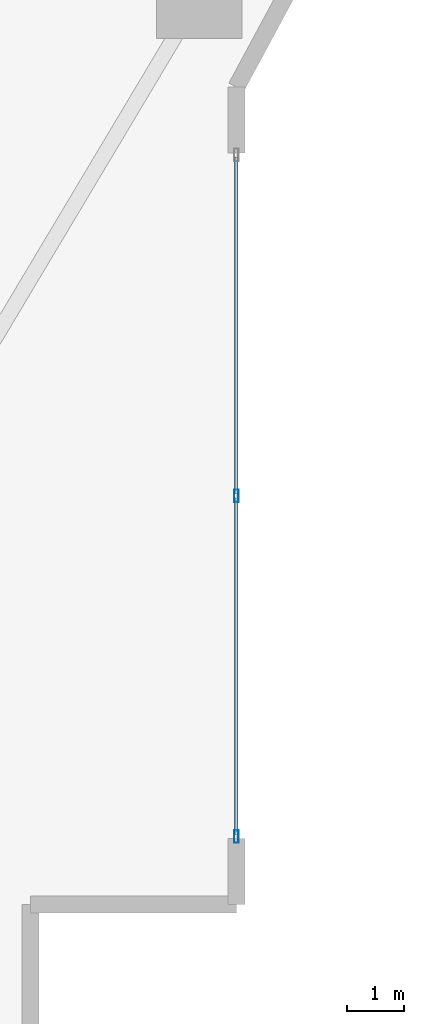
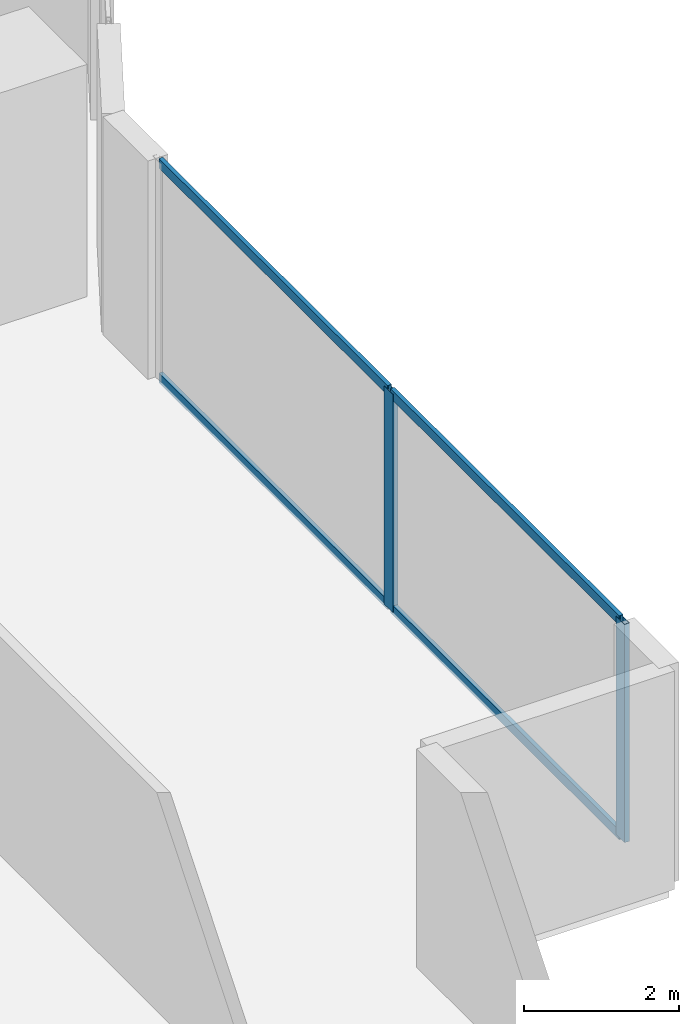
# One storey, part 10 of 28: 6 members, 1 element without a shape of its own.
"""IFC4 building model written with IfcOpenShell, lengths in metres."""

from ifc_helpers import new_model, si_unit, direction, frame, origin, origin_2d, place, context, subcontext, project, spatial, hollow_rectangle, extrude, material, layer, layer_set, material_profile, profile_set, type_object, element, aggregate, save


model = new_model("IFC4")

# Units and contexts
model_context = context("Model", 3, precision=1e-05, world=origin(), true_north=direction((0.0, 1.0)))
body_context = subcontext(model_context, "Body", "Model", "MODEL_VIEW")
ifc_project = project(units=[si_unit("LENGTHUNIT", "METRE"), si_unit("AREAUNIT", "SQUARE_METRE"), si_unit("VOLUMEUNIT", "CUBIC_METRE"), si_unit("PLANEANGLEUNIT", "RADIAN"), si_unit("MASSUNIT", "GRAM", prefix="KILO")], contexts=[model_context])

# Site, building, storey
site_placement = place(None, origin())
site = spatial("IfcSite", under=ifc_project, at=site_placement, CompositionType="ELEMENT")
building_placement = place(site_placement, origin())
building = spatial("IfcBuilding", under=site, at=building_placement, Name="Zuhayl Quay Hotel", CompositionType="ELEMENT")
storey_placement = place(building_placement, frame((0.0, 0.0, 49.5)))
storey = spatial("IfcBuildingStorey", under=building, at=storey_placement, Name="L11", CompositionType="ELEMENT", Elevation=49.5)

# Curtain wall, members
ifc_material_1 = material(Name="Anodised Aluminium 6063-T6", Category="aluminium")
ifc_layer = layer(ifc_material_1, 0.18994140625, Name="Anodised Aluminium 6063-T6", Category="aluminium")
ifc_layer_set = layer_set([ifc_layer], Name="Anodised Aluminium 6063-T6")
curtain_wall_type = type_object("IfcCurtainWallType", Name="CW_SYS_Z1", PredefinedType="USERDEFINED", material=ifc_layer_set)
curtain_wall_placement = place(storey_placement, origin())
curtain_wall = element("IfcCurtainWall", 1, at=curtain_wall_placement, inside=storey, type_object=curtain_wall_type, Name="L11 Curtain Wall ENV_L11_E14_CW1", ObjectType="UNITISED CURTAIN WALL", PredefinedType="USERDEFINED")
ifc_material_2 = material(Name="Black-anodised aluminium 6063-T6", Category="aluminium")
ifc_material_profile_1 = material_profile(ifc_material_2, hollow_rectangle(XDim=0.074951171875, YDim=0.219970703125, WallThickness=0.00390625, at=origin_2d()), Name="ALU220X75")
ifc_profile_set_1 = profile_set([ifc_material_profile_1], Name="Black-anodised aluminium 6063-T6")
member_type_1 = type_object("IfcMemberType", Name="MB_CW_MUL_220", PredefinedType="MULLION", material=ifc_profile_set_1)
member_1_placement = place(storey_placement, frame((25.699951171875, -12.35009765625, 0.0), z_axis=(0.0, 0.0, 1.0), x_axis=(1.0, 0.0, 0.0)))
member_1 = element("IfcMember", 2, at=member_1_placement, type_object=member_type_1, Name="CW-Z1 mullion 2", PredefinedType="MULLION", context=body_context, shape_type="SweptSolid", body=[
    extrude(hollow_rectangle(XDim=0.074951171875, YDim=0.219970703125, WallThickness=0.00390625, at=origin_2d()), origin(), (0.0, 0.0, 1.0), 3.429931640625),
])
member_2_placement = place(storey_placement, frame((25.699951171875, -18.3125, 0.0), z_axis=(0.0, 0.0, 1.0), x_axis=(1.0, 0.0, 0.0)))
member_2 = element("IfcMember", 3, at=member_2_placement, type_object=member_type_1, Name="CW-Z1 mullion 3", PredefinedType="MULLION", context=body_context, shape_type="SweptSolid", body=[
    extrude(hollow_rectangle(XDim=0.074951171875, YDim=0.219970703125, WallThickness=0.00390625, at=origin_2d()), origin(), (0.0, 0.0, 1.0), 3.429931640625),
])
ifc_material_profile_2 = material_profile(ifc_material_2, hollow_rectangle(XDim=0.06005859375, YDim=0.14990234375, WallThickness=0.00341796875, at=origin_2d()), Name="ALU150X60")
ifc_profile_set_2 = profile_set([ifc_material_profile_2], Name="Black-anodised aluminium 6063-T6")
member_type_2 = type_object("IfcMemberType", Name="MB_CW_TRN_150", PredefinedType="USERDEFINED", material=ifc_profile_set_2)
member_3_placement = place(storey_placement, frame((25.699951171875, -6.425048828125, 0.030029296875), z_axis=(0.0, -1.0, 0.0), x_axis=(1.0, 0.0, 0.0)))
member_3 = element("IfcMember", 4, at=member_3_placement, type_object=member_type_2, Name="CW-Z1 transom 1.1", ObjectType="TRANSOM", PredefinedType="USERDEFINED", context=body_context, shape_type="SweptSolid", body=[
    extrude(hollow_rectangle(XDim=0.06005859375, YDim=0.14990234375, WallThickness=0.00341796875, at=origin_2d()), origin(), (0.0, 0.0, 1.0), 5.887451171875),
])
member_4_placement = place(storey_placement, frame((25.699951171875, -6.425048828125, 3.39990234375), z_axis=(0.0, -1.0, 0.0), x_axis=(1.0, 0.0, 0.0)))
member_4 = element("IfcMember", 5, at=member_4_placement, type_object=member_type_2, Name="CW-Z1 transom 1.2", ObjectType="TRANSOM", PredefinedType="USERDEFINED", context=body_context, shape_type="SweptSolid", body=[
    extrude(hollow_rectangle(XDim=0.06005859375, YDim=0.14990234375, WallThickness=0.00341796875, at=origin_2d()), origin(), (0.0, 0.0, 1.0), 5.887451171875),
])
member_5_placement = place(storey_placement, frame((25.699951171875, -12.387451171875, 0.030029296875), z_axis=(0.0, -1.0, 0.0), x_axis=(1.0, 0.0, 0.0)))
member_5 = element("IfcMember", 6, at=member_5_placement, type_object=member_type_2, Name="CW-Z1 transom 2.1", ObjectType="TRANSOM", PredefinedType="USERDEFINED", context=body_context, shape_type="SweptSolid", body=[
    extrude(hollow_rectangle(XDim=0.06005859375, YDim=0.14990234375, WallThickness=0.00341796875, at=origin_2d()), origin(), (0.0, 0.0, 1.0), 5.887451171875),
])
member_6_placement = place(storey_placement, frame((25.699951171875, -12.387451171875, 3.39990234375), z_axis=(0.0, -1.0, 0.0), x_axis=(1.0, 0.0, 0.0)))
member_6 = element("IfcMember", 7, at=member_6_placement, type_object=member_type_2, Name="CW-Z1 transom 2.2", ObjectType="TRANSOM", PredefinedType="USERDEFINED", context=body_context, shape_type="SweptSolid", body=[
    extrude(hollow_rectangle(XDim=0.06005859375, YDim=0.14990234375, WallThickness=0.00341796875, at=origin_2d()), origin(), (0.0, 0.0, 1.0), 5.887451171875),
])
aggregate(curtain_wall, [member_1, member_2, member_3, member_4, member_5, member_6])

save(model, "model.ifc")
